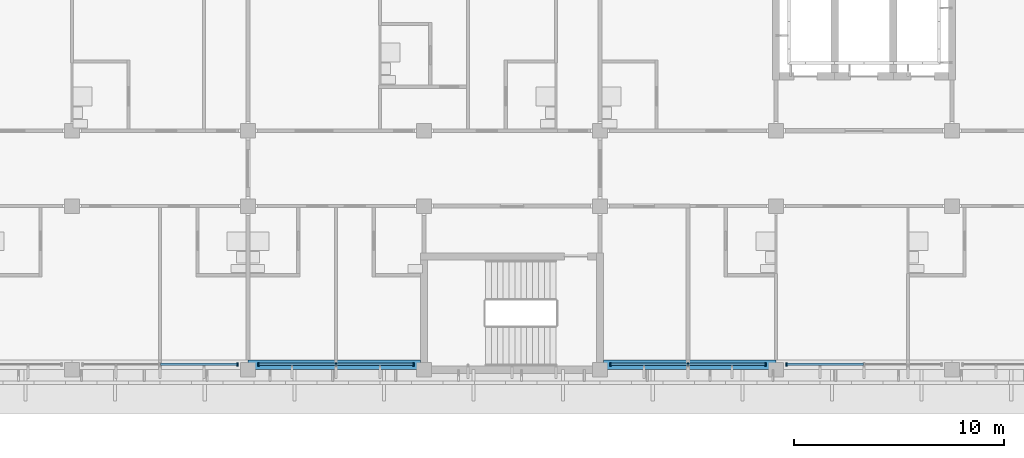
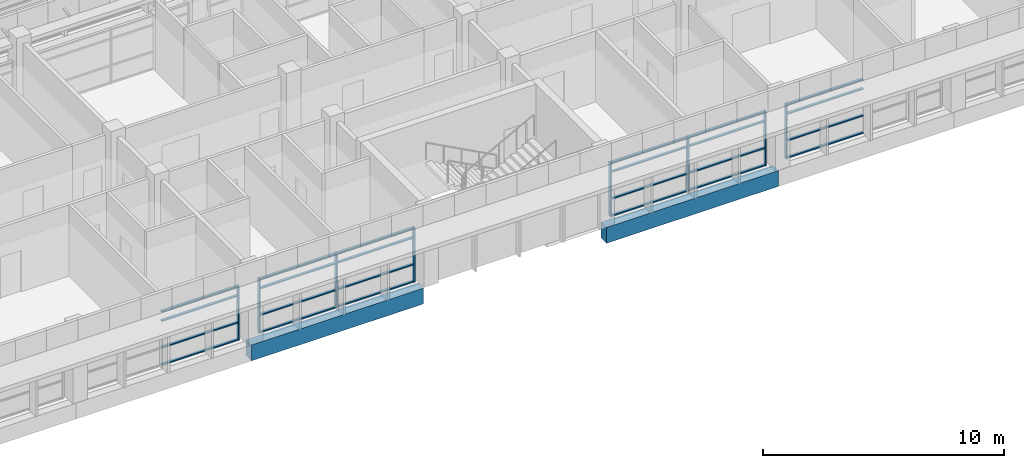
# One storey, part 11 of 71: 32 members, 2 beams, 4 elements without a shape of their own.
"""IFC4 building model written with IfcOpenShell, lengths in metres."""

from ifc_helpers import new_model, si_unit, direction, frame, origin, origin_2d, place, context, subcontext, project, spatial, rectangle, extrude, material, material_profile, profile_set, type_object, element, aggregate, save


model = new_model("IFC4")

# Units and contexts
model_context = context("Model", 3, precision=1e-05, world=origin(), true_north=direction((0.0, 1.0)))
body_context = subcontext(model_context, "Body", "Model", "MODEL_VIEW")
ifc_project = project(units=[si_unit("LENGTHUNIT", "METRE"), si_unit("AREAUNIT", "SQUARE_METRE"), si_unit("VOLUMEUNIT", "CUBIC_METRE"), si_unit("PLANEANGLEUNIT", "RADIAN"), si_unit("MASSUNIT", "GRAM", prefix="KILO")], contexts=[model_context])

# Site, building, storey
site_placement = place(None, origin())
site = spatial("IfcSite", under=ifc_project, at=site_placement, CompositionType="ELEMENT")
building_placement = place(site_placement, origin())
building = spatial("IfcBuilding", under=site, at=building_placement, Name="Bougainvillea Quay General Hospital", CompositionType="ELEMENT")
storey_placement = place(building_placement, frame((0.0, 0.0, 24.89990234375)))
storey = spatial("IfcBuildingStorey", under=building, at=storey_placement, Name="L05", CompositionType="ELEMENT", Elevation=24.89990234375)

# Curtain wall, member
ifc_material_1 = material(Name="Aluminium curtain wall system, powder-coated glazed", Category="aluminium")
curtain_wall_type = type_object("IfcCurtainWallType", Name="Unitised curtain wall CW-3730", PredefinedType="NOTDEFINED", material=ifc_material_1)
curtain_wall_1_placement = place(storey_placement, origin())
curtain_wall_1 = element("IfcCurtainWall", 1, at=curtain_wall_1_placement, inside=storey, type_object=curtain_wall_type, Name="CW-4200 05", PredefinedType="NOTDEFINED")
ifc_material_2 = material(Name="Aluminium mullion, powder-coated charcoal", Category="aluminium")
ifc_material_profile_1 = material_profile(ifc_material_2, rectangle(XDim=0.159912109375, YDim=0.06005859375, at=origin_2d()))
ifc_profile_set_1 = profile_set([ifc_material_profile_1], Name="Aluminium mullion, powder-coated charcoal")
member_type_1 = type_object("IfcMemberType", Name="Curtain wall mullion 160x60", PredefinedType="MULLION", material=ifc_profile_set_1)
member_1_placement = place(storey_placement, frame((108.699951171875, 117.85009765625, 0.0), z_axis=(0.0, 0.0, 1.0), x_axis=(0.0, 1.0, 0.0)))
member_1 = element("IfcMember", 2, at=member_1_placement, type_object=member_type_1, Name="CW-4200 mullion 3", PredefinedType="MULLION", context=body_context, shape_type="SweptSolid", body=[
    extrude(rectangle(XDim=0.159912109375, YDim=0.06005859375, at=origin_2d()), origin(), (0.0, 0.0, 1.0), 2.75),
])

# Curtain wall, members
curtain_wall_2_placement = place(storey_placement, origin())
curtain_wall_2 = element("IfcCurtainWall", 3, at=curtain_wall_2_placement, inside=storey, type_object=curtain_wall_type, Name="CW-4200 06", PredefinedType="NOTDEFINED")
member_2_placement = place(storey_placement, frame((109.699951171875, 117.85009765625, 0.0), z_axis=(0.0, 0.0, 1.0), x_axis=(0.0, 1.0, 0.0)))
member_2 = element("IfcMember", 4, at=member_2_placement, type_object=member_type_1, Name="CW-4200 mullion 1", PredefinedType="MULLION", context=body_context, shape_type="SweptSolid", body=[
    extrude(rectangle(XDim=0.159912109375, YDim=0.06005859375, at=origin_2d()), origin(), (0.0, 0.0, 1.0), 2.75),
])
member_3_placement = place(storey_placement, frame((113.39990234375, 117.85009765625, 0.0), z_axis=(0.0, 0.0, 1.0), x_axis=(0.0, 1.0, 0.0)))
member_3 = element("IfcMember", 5, at=member_3_placement, type_object=member_type_1, Name="CW-4200 mullion 2", PredefinedType="MULLION", context=body_context, shape_type="SweptSolid", body=[
    extrude(rectangle(XDim=0.159912109375, YDim=0.06005859375, at=origin_2d()), origin(), (0.0, 0.0, 1.0), 2.75),
])
member_4_placement = place(storey_placement, frame((117.10009765625, 117.85009765625, 0.0), z_axis=(0.0, 0.0, 1.0), x_axis=(0.0, 1.0, 0.0)))
member_4 = element("IfcMember", 6, at=member_4_placement, type_object=member_type_1, Name="CW-4200 mullion 3", PredefinedType="MULLION", context=body_context, shape_type="SweptSolid", body=[
    extrude(rectangle(XDim=0.159912109375, YDim=0.06005859375, at=origin_2d()), origin(), (0.0, 0.0, 1.0), 2.75),
])

curtain_wall_3_placement = place(storey_placement, origin())
curtain_wall_3 = element("IfcCurtainWall", 7, at=curtain_wall_3_placement, inside=storey, type_object=curtain_wall_type, Name="CW-4200 07", PredefinedType="NOTDEFINED")
member_5_placement = place(storey_placement, frame((126.5, 117.85009765625, 0.0), z_axis=(0.0, 0.0, 1.0), x_axis=(0.0, 1.0, 0.0)))
member_5 = element("IfcMember", 8, at=member_5_placement, type_object=member_type_1, Name="CW-4200 mullion 1", PredefinedType="MULLION", context=body_context, shape_type="SweptSolid", body=[
    extrude(rectangle(XDim=0.159912109375, YDim=0.06005859375, at=origin_2d()), origin(), (0.0, 0.0, 1.0), 2.75),
])
member_6_placement = place(storey_placement, frame((130.199951171875, 117.85009765625, 0.0), z_axis=(0.0, 0.0, 1.0), x_axis=(0.0, 1.0, 0.0)))
member_6 = element("IfcMember", 9, at=member_6_placement, type_object=member_type_1, Name="CW-4200 mullion 2", PredefinedType="MULLION", context=body_context, shape_type="SweptSolid", body=[
    extrude(rectangle(XDim=0.159912109375, YDim=0.06005859375, at=origin_2d()), origin(), (0.0, 0.0, 1.0), 2.75),
])
member_7_placement = place(storey_placement, frame((133.89990234375, 117.85009765625, 0.0), z_axis=(0.0, 0.0, 1.0), x_axis=(0.0, 1.0, 0.0)))
member_7 = element("IfcMember", 10, at=member_7_placement, type_object=member_type_1, Name="CW-4200 mullion 3", PredefinedType="MULLION", context=body_context, shape_type="SweptSolid", body=[
    extrude(rectangle(XDim=0.159912109375, YDim=0.06005859375, at=origin_2d()), origin(), (0.0, 0.0, 1.0), 2.75),
])

# Curtain wall, member
curtain_wall_4_placement = place(storey_placement, origin())
curtain_wall_4 = element("IfcCurtainWall", 11, at=curtain_wall_4_placement, inside=storey, type_object=curtain_wall_type, Name="CW-4200 08", PredefinedType="NOTDEFINED")
member_8_placement = place(storey_placement, frame((134.89990234375, 117.85009765625, 0.0), z_axis=(0.0, 0.0, 1.0), x_axis=(0.0, 1.0, 0.0)))
member_8 = element("IfcMember", 12, at=member_8_placement, type_object=member_type_1, Name="CW-4200 mullion 1", PredefinedType="MULLION", context=body_context, shape_type="SweptSolid", body=[
    extrude(rectangle(XDim=0.159912109375, YDim=0.06005859375, at=origin_2d()), origin(), (0.0, 0.0, 1.0), 2.75),
])

# Member
ifc_material_3 = material(Name="Aluminium transom, powder-coated charcoal", Category="aluminium")
ifc_material_profile_2 = material_profile(ifc_material_3, rectangle(XDim=0.1201171875, YDim=0.06005859375, at=origin_2d()))
ifc_profile_set_2 = profile_set([ifc_material_profile_2], Name="Aluminium transom, powder-coated charcoal")
member_type_2 = type_object("IfcMemberType", Name="Curtain wall transom 120x60", PredefinedType="USERDEFINED", material=ifc_profile_set_2)
member_9_placement = place(storey_placement, frame((105.030029296875, 117.85009765625, 0.030029296875), z_axis=(1.0, 0.0, 0.0), x_axis=(0.0, 1.0, 0.0)))
member_9 = element("IfcMember", 13, at=member_9_placement, type_object=member_type_2, Name="CW-4200 transom 2.1", ObjectType="TRANSOM", PredefinedType="USERDEFINED", context=body_context, shape_type="SweptSolid", body=[
    extrude(rectangle(XDim=0.1201171875, YDim=0.06005859375, at=origin_2d()), origin(), (0.0, 0.0, 1.0), 3.639892578125),
])

member_10_placement = place(storey_placement, frame((105.030029296875, 117.85009765625, 0.900146484375), z_axis=(1.0, 0.0, 0.0), x_axis=(0.0, 1.0, 0.0)))
member_10 = element("IfcMember", 14, at=member_10_placement, type_object=member_type_2, Name="CW-4200 transom 2.2", ObjectType="TRANSOM", PredefinedType="USERDEFINED", context=body_context, shape_type="SweptSolid", body=[
    extrude(rectangle(XDim=0.1201171875, YDim=0.06005859375, at=origin_2d()), origin(), (0.0, 0.0, 1.0), 3.639892578125),
])

member_11_placement = place(storey_placement, frame((105.030029296875, 117.85009765625, 2.25), z_axis=(1.0, 0.0, 0.0), x_axis=(0.0, 1.0, 0.0)))
member_11 = element("IfcMember", 15, at=member_11_placement, type_object=member_type_2, Name="CW-4200 transom 2.3", ObjectType="TRANSOM", PredefinedType="USERDEFINED", context=body_context, shape_type="SweptSolid", body=[
    extrude(rectangle(XDim=0.1201171875, YDim=0.06005859375, at=origin_2d()), origin(), (0.0, 0.0, 1.0), 3.639892578125),
])

member_12_placement = place(storey_placement, frame((105.030029296875, 117.85009765625, 2.72021484375), z_axis=(1.0, 0.0, 0.0), x_axis=(0.0, 1.0, 0.0)))
member_12 = element("IfcMember", 16, at=member_12_placement, type_object=member_type_2, Name="CW-4200 transom 2.4", ObjectType="TRANSOM", PredefinedType="USERDEFINED", context=body_context, shape_type="SweptSolid", body=[
    extrude(rectangle(XDim=0.1201171875, YDim=0.06005859375, at=origin_2d()), origin(), (0.0, 0.0, 1.0), 3.639892578125),
])

aggregate(curtain_wall_1, [member_1, member_9, member_10, member_11, member_12])

member_13_placement = place(storey_placement, frame((109.72998046875, 117.85009765625, 0.030029296875), z_axis=(1.0, 0.0, 0.0), x_axis=(0.0, 1.0, 0.0)))
member_13 = element("IfcMember", 17, at=member_13_placement, type_object=member_type_2, Name="CW-4200 transom 1.1", ObjectType="TRANSOM", PredefinedType="USERDEFINED", context=body_context, shape_type="SweptSolid", body=[
    extrude(rectangle(XDim=0.1201171875, YDim=0.06005859375, at=origin_2d()), origin(), (0.0, 0.0, 1.0), 3.64013671875),
])

member_14_placement = place(storey_placement, frame((109.72998046875, 117.85009765625, 0.900146484375), z_axis=(1.0, 0.0, 0.0), x_axis=(0.0, 1.0, 0.0)))
member_14 = element("IfcMember", 18, at=member_14_placement, type_object=member_type_2, Name="CW-4200 transom 1.2", ObjectType="TRANSOM", PredefinedType="USERDEFINED", context=body_context, shape_type="SweptSolid", body=[
    extrude(rectangle(XDim=0.1201171875, YDim=0.06005859375, at=origin_2d()), origin(), (0.0, 0.0, 1.0), 3.64013671875),
])

member_15_placement = place(storey_placement, frame((109.72998046875, 117.85009765625, 2.25), z_axis=(1.0, 0.0, 0.0), x_axis=(0.0, 1.0, 0.0)))
member_15 = element("IfcMember", 19, at=member_15_placement, type_object=member_type_2, Name="CW-4200 transom 1.3", ObjectType="TRANSOM", PredefinedType="USERDEFINED", context=body_context, shape_type="SweptSolid", body=[
    extrude(rectangle(XDim=0.1201171875, YDim=0.06005859375, at=origin_2d()), origin(), (0.0, 0.0, 1.0), 3.64013671875),
])

member_16_placement = place(storey_placement, frame((109.72998046875, 117.85009765625, 2.72021484375), z_axis=(1.0, 0.0, 0.0), x_axis=(0.0, 1.0, 0.0)))
member_16 = element("IfcMember", 20, at=member_16_placement, type_object=member_type_2, Name="CW-4200 transom 1.4", ObjectType="TRANSOM", PredefinedType="USERDEFINED", context=body_context, shape_type="SweptSolid", body=[
    extrude(rectangle(XDim=0.1201171875, YDim=0.06005859375, at=origin_2d()), origin(), (0.0, 0.0, 1.0), 3.64013671875),
])

member_17_placement = place(storey_placement, frame((113.429931640625, 117.85009765625, 0.030029296875), z_axis=(1.0, 0.0, 0.0), x_axis=(0.0, 1.0, 0.0)))
member_17 = element("IfcMember", 21, at=member_17_placement, type_object=member_type_2, Name="CW-4200 transom 2.1", ObjectType="TRANSOM", PredefinedType="USERDEFINED", context=body_context, shape_type="SweptSolid", body=[
    extrude(rectangle(XDim=0.1201171875, YDim=0.06005859375, at=origin_2d()), origin(), (0.0, 0.0, 1.0), 3.64013671875),
])

member_18_placement = place(storey_placement, frame((113.429931640625, 117.85009765625, 0.900146484375), z_axis=(1.0, 0.0, 0.0), x_axis=(0.0, 1.0, 0.0)))
member_18 = element("IfcMember", 22, at=member_18_placement, type_object=member_type_2, Name="CW-4200 transom 2.2", ObjectType="TRANSOM", PredefinedType="USERDEFINED", context=body_context, shape_type="SweptSolid", body=[
    extrude(rectangle(XDim=0.1201171875, YDim=0.06005859375, at=origin_2d()), origin(), (0.0, 0.0, 1.0), 3.64013671875),
])

member_19_placement = place(storey_placement, frame((113.429931640625, 117.85009765625, 2.25), z_axis=(1.0, 0.0, 0.0), x_axis=(0.0, 1.0, 0.0)))
member_19 = element("IfcMember", 23, at=member_19_placement, type_object=member_type_2, Name="CW-4200 transom 2.3", ObjectType="TRANSOM", PredefinedType="USERDEFINED", context=body_context, shape_type="SweptSolid", body=[
    extrude(rectangle(XDim=0.1201171875, YDim=0.06005859375, at=origin_2d()), origin(), (0.0, 0.0, 1.0), 3.64013671875),
])

member_20_placement = place(storey_placement, frame((113.429931640625, 117.85009765625, 2.72021484375), z_axis=(1.0, 0.0, 0.0), x_axis=(0.0, 1.0, 0.0)))
member_20 = element("IfcMember", 24, at=member_20_placement, type_object=member_type_2, Name="CW-4200 transom 2.4", ObjectType="TRANSOM", PredefinedType="USERDEFINED", context=body_context, shape_type="SweptSolid", body=[
    extrude(rectangle(XDim=0.1201171875, YDim=0.06005859375, at=origin_2d()), origin(), (0.0, 0.0, 1.0), 3.64013671875),
])

aggregate(curtain_wall_2, [member_2, member_3, member_4, member_13, member_14, member_15, member_16, member_17, member_18, member_19, member_20])

member_21_placement = place(storey_placement, frame((126.530029296875, 117.85009765625, 0.030029296875), z_axis=(1.0, 0.0, 0.0), x_axis=(0.0, 1.0, 0.0)))
member_21 = element("IfcMember", 25, at=member_21_placement, type_object=member_type_2, Name="CW-4200 transom 1.1", ObjectType="TRANSOM", PredefinedType="USERDEFINED", context=body_context, shape_type="SweptSolid", body=[
    extrude(rectangle(XDim=0.1201171875, YDim=0.06005859375, at=origin_2d()), origin(), (0.0, 0.0, 1.0), 3.639892578125),
])

member_22_placement = place(storey_placement, frame((126.530029296875, 117.85009765625, 0.900146484375), z_axis=(1.0, 0.0, 0.0), x_axis=(0.0, 1.0, 0.0)))
member_22 = element("IfcMember", 26, at=member_22_placement, type_object=member_type_2, Name="CW-4200 transom 1.2", ObjectType="TRANSOM", PredefinedType="USERDEFINED", context=body_context, shape_type="SweptSolid", body=[
    extrude(rectangle(XDim=0.1201171875, YDim=0.06005859375, at=origin_2d()), origin(), (0.0, 0.0, 1.0), 3.639892578125),
])

member_23_placement = place(storey_placement, frame((126.530029296875, 117.85009765625, 2.25), z_axis=(1.0, 0.0, 0.0), x_axis=(0.0, 1.0, 0.0)))
member_23 = element("IfcMember", 27, at=member_23_placement, type_object=member_type_2, Name="CW-4200 transom 1.3", ObjectType="TRANSOM", PredefinedType="USERDEFINED", context=body_context, shape_type="SweptSolid", body=[
    extrude(rectangle(XDim=0.1201171875, YDim=0.06005859375, at=origin_2d()), origin(), (0.0, 0.0, 1.0), 3.639892578125),
])

member_24_placement = place(storey_placement, frame((126.530029296875, 117.85009765625, 2.72021484375), z_axis=(1.0, 0.0, 0.0), x_axis=(0.0, 1.0, 0.0)))
member_24 = element("IfcMember", 28, at=member_24_placement, type_object=member_type_2, Name="CW-4200 transom 1.4", ObjectType="TRANSOM", PredefinedType="USERDEFINED", context=body_context, shape_type="SweptSolid", body=[
    extrude(rectangle(XDim=0.1201171875, YDim=0.06005859375, at=origin_2d()), origin(), (0.0, 0.0, 1.0), 3.639892578125),
])

member_25_placement = place(storey_placement, frame((130.22998046875, 117.85009765625, 0.030029296875), z_axis=(1.0, 0.0, 0.0), x_axis=(0.0, 1.0, 0.0)))
member_25 = element("IfcMember", 29, at=member_25_placement, type_object=member_type_2, Name="CW-4200 transom 2.1", ObjectType="TRANSOM", PredefinedType="USERDEFINED", context=body_context, shape_type="SweptSolid", body=[
    extrude(rectangle(XDim=0.1201171875, YDim=0.06005859375, at=origin_2d()), origin(), (0.0, 0.0, 1.0), 3.64013671875),
])

member_26_placement = place(storey_placement, frame((130.22998046875, 117.85009765625, 0.900146484375), z_axis=(1.0, 0.0, 0.0), x_axis=(0.0, 1.0, 0.0)))
member_26 = element("IfcMember", 30, at=member_26_placement, type_object=member_type_2, Name="CW-4200 transom 2.2", ObjectType="TRANSOM", PredefinedType="USERDEFINED", context=body_context, shape_type="SweptSolid", body=[
    extrude(rectangle(XDim=0.1201171875, YDim=0.06005859375, at=origin_2d()), origin(), (0.0, 0.0, 1.0), 3.64013671875),
])

member_27_placement = place(storey_placement, frame((130.22998046875, 117.85009765625, 2.25), z_axis=(1.0, 0.0, 0.0), x_axis=(0.0, 1.0, 0.0)))
member_27 = element("IfcMember", 31, at=member_27_placement, type_object=member_type_2, Name="CW-4200 transom 2.3", ObjectType="TRANSOM", PredefinedType="USERDEFINED", context=body_context, shape_type="SweptSolid", body=[
    extrude(rectangle(XDim=0.1201171875, YDim=0.06005859375, at=origin_2d()), origin(), (0.0, 0.0, 1.0), 3.64013671875),
])

member_28_placement = place(storey_placement, frame((130.22998046875, 117.85009765625, 2.72021484375), z_axis=(1.0, 0.0, 0.0), x_axis=(0.0, 1.0, 0.0)))
member_28 = element("IfcMember", 32, at=member_28_placement, type_object=member_type_2, Name="CW-4200 transom 2.4", ObjectType="TRANSOM", PredefinedType="USERDEFINED", context=body_context, shape_type="SweptSolid", body=[
    extrude(rectangle(XDim=0.1201171875, YDim=0.06005859375, at=origin_2d()), origin(), (0.0, 0.0, 1.0), 3.64013671875),
])

aggregate(curtain_wall_3, [member_5, member_6, member_7, member_21, member_22, member_23, member_24, member_25, member_26, member_27, member_28])

member_29_placement = place(storey_placement, frame((134.929931640625, 117.85009765625, 0.030029296875), z_axis=(1.0, 0.0, 0.0), x_axis=(0.0, 1.0, 0.0)))
member_29 = element("IfcMember", 33, at=member_29_placement, type_object=member_type_2, Name="CW-4200 transom 1.1", ObjectType="TRANSOM", PredefinedType="USERDEFINED", context=body_context, shape_type="SweptSolid", body=[
    extrude(rectangle(XDim=0.1201171875, YDim=0.06005859375, at=origin_2d()), origin(), (0.0, 0.0, 1.0), 3.64013671875),
])

member_30_placement = place(storey_placement, frame((134.929931640625, 117.85009765625, 0.900146484375), z_axis=(1.0, 0.0, 0.0), x_axis=(0.0, 1.0, 0.0)))
member_30 = element("IfcMember", 34, at=member_30_placement, type_object=member_type_2, Name="CW-4200 transom 1.2", ObjectType="TRANSOM", PredefinedType="USERDEFINED", context=body_context, shape_type="SweptSolid", body=[
    extrude(rectangle(XDim=0.1201171875, YDim=0.06005859375, at=origin_2d()), origin(), (0.0, 0.0, 1.0), 3.64013671875),
])

member_31_placement = place(storey_placement, frame((134.929931640625, 117.85009765625, 2.25), z_axis=(1.0, 0.0, 0.0), x_axis=(0.0, 1.0, 0.0)))
member_31 = element("IfcMember", 35, at=member_31_placement, type_object=member_type_2, Name="CW-4200 transom 1.3", ObjectType="TRANSOM", PredefinedType="USERDEFINED", context=body_context, shape_type="SweptSolid", body=[
    extrude(rectangle(XDim=0.1201171875, YDim=0.06005859375, at=origin_2d()), origin(), (0.0, 0.0, 1.0), 3.64013671875),
])

member_32_placement = place(storey_placement, frame((134.929931640625, 117.85009765625, 2.72021484375), z_axis=(1.0, 0.0, 0.0), x_axis=(0.0, 1.0, 0.0)))
member_32 = element("IfcMember", 36, at=member_32_placement, type_object=member_type_2, Name="CW-4200 transom 1.4", ObjectType="TRANSOM", PredefinedType="USERDEFINED", context=body_context, shape_type="SweptSolid", body=[
    extrude(rectangle(XDim=0.1201171875, YDim=0.06005859375, at=origin_2d()), origin(), (0.0, 0.0, 1.0), 3.64013671875),
])

aggregate(curtain_wall_4, [member_8, member_29, member_30, member_31, member_32])

# Beams
ifc_material_4 = material(Name="Concrete C40", Category="concrete")
ifc_material_profile_3 = material_profile(ifc_material_4, rectangle(XDim=0.449951171875, YDim=0.800048828125, at=origin_2d()))
ifc_profile_set_3 = profile_set([ifc_material_profile_3], Name="Concrete C40")
beam_type = type_object("IfcBeamType", Name="RC BEAM 450x800 C40", PredefinedType="BEAM", material=ifc_profile_set_3)
beam_1_placement = place(storey_placement, frame((109.199951171875, 117.824951171875, -0.699951171875), z_axis=(1.0, 0.0, 0.0), x_axis=(0.0, 1.0, 0.0)))
element("IfcBeam", 37, at=beam_1_placement, inside=storey, type_object=beam_type, Name="Edge beam L05", PredefinedType="BEAM", context=body_context, shape_type="SweptSolid", body=[
    extrude(rectangle(XDim=0.449951171875, YDim=0.800048828125, at=origin_2d()), origin(), (0.0, 0.0, 1.0), 8.22509765625),
])
beam_2_placement = place(storey_placement, frame((126.175048828125, 117.824951171875, -0.699951171875), z_axis=(1.0, 0.0, 0.0), x_axis=(0.0, 1.0, 0.0)))
element("IfcBeam", 38, at=beam_2_placement, inside=storey, type_object=beam_type, Name="Edge beam L05", PredefinedType="BEAM", context=body_context, shape_type="SweptSolid", body=[
    extrude(rectangle(XDim=0.449951171875, YDim=0.800048828125, at=origin_2d()), origin(), (0.0, 0.0, 1.0), 8.224853515625),
])

save(model, "model.ifc")
